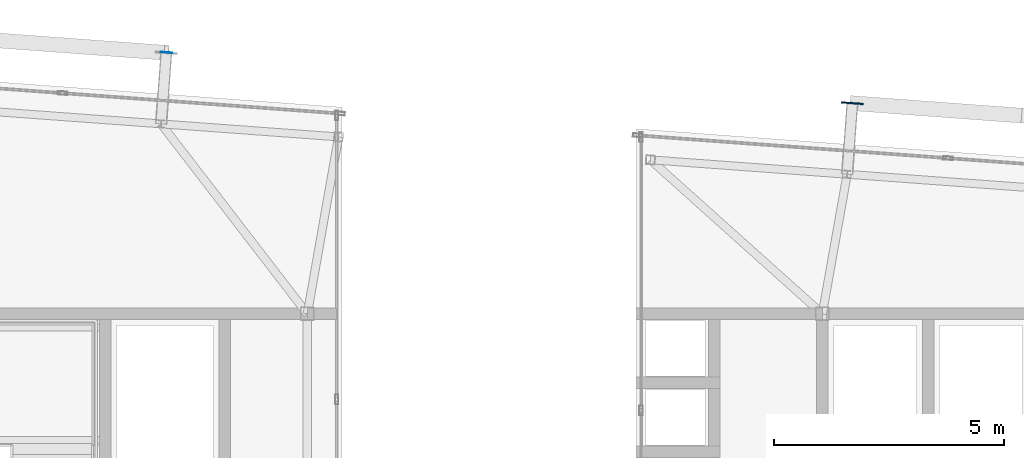
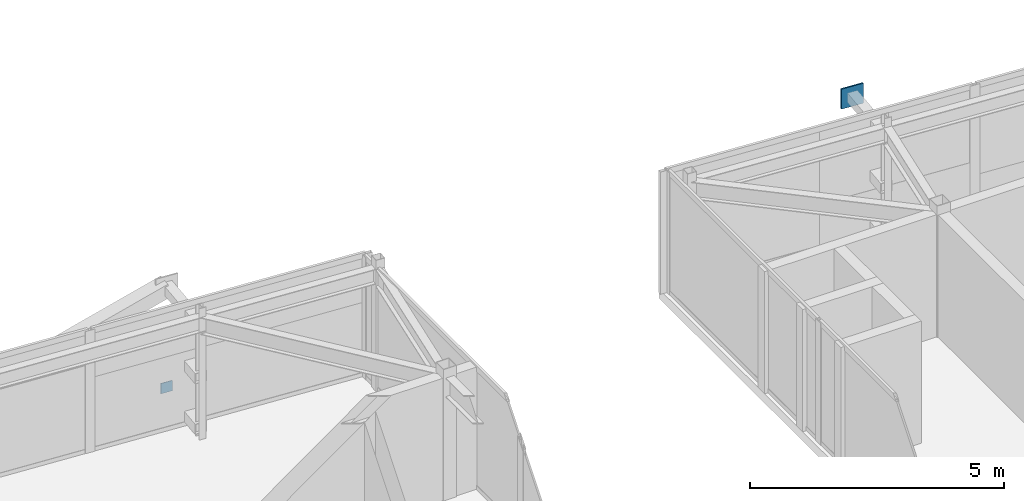
# One storey, part 34 of 39: 2 plates.
"""IFC4 building model written with IfcOpenShell, lengths in metres."""

from ifc_helpers import new_model, si_unit, direction, frame, origin, origin_2d, place, context, subcontext, project, spatial, rectangle, extrude, source, transform, mapped, material, layer, layer_set, type_object, element, save


model = new_model("IFC4")

# Units and contexts
model_context = context("Model", 3, precision=1e-05, world=origin(), true_north=direction((0.0, 1.0)))
body_context = subcontext(model_context, "Body", "Model", "MODEL_VIEW")
ifc_project = project(units=[si_unit("LENGTHUNIT", "METRE"), si_unit("AREAUNIT", "SQUARE_METRE"), si_unit("VOLUMEUNIT", "CUBIC_METRE"), si_unit("PLANEANGLEUNIT", "RADIAN"), si_unit("MASSUNIT", "GRAM", prefix="KILO")], contexts=[model_context])

# Site, building, storey
site_placement = place(None, origin())
site = spatial("IfcSite", under=ifc_project, at=site_placement, CompositionType="ELEMENT")
building_placement = place(site_placement, origin())
building = spatial("IfcBuilding", under=site, at=building_placement, Name="Taldren Reach Tower", CompositionType="ELEMENT")
storey_placement = place(building_placement, frame((0.0, 0.0, 230.300048828125)))
storey = spatial("IfcBuildingStorey", under=building, at=storey_placement, Name="L70", CompositionType="ELEMENT", Elevation=230.300048828125)

# Plates
ifc_material_1 = material(Name="Steel Gr 350 (C350L0)", Category="steel")
ifc_layer_1 = layer(ifc_material_1, 0.011962890625)
ifc_layer_set_1 = layer_set([ifc_layer_1], Name="Steel Gr 350 (C350L0)")
plate_type_1 = type_object("IfcPlateType", Name="PL-CAP-250", PredefinedType="SHEET", material=ifc_layer_set_1)
shared_shape_1 = source(origin(), body_context, "Body", "SweptSolid", [
    extrude(rectangle(XDim=0.25, YDim=0.011962890625, at=origin_2d()), origin(), (0.0, 0.0, 1.0), 0.25),
])
plate_1_placement = place(storey_placement, frame((24.93359375, 37.682861328125, 0.094970703125), z_axis=(0.0, 0.0, 1.0), x_axis=(0.997314477224, -0.073238197128, 0.0)))
element("IfcPlate", 1, at=plate_1_placement, inside=storey, type_object=plate_type_1, Name="Tie strut end cap plate B5-N2 L70", PredefinedType="SHEET", context=body_context, shape_type="MappedRepresentation", body=[
    mapped(shared_shape_1, transform((0.0, 0.0, 0.0), scale=1.0)),
])
ifc_material_2 = material(Name="Steel Gr 450 (C450L0)", Category="steel")
ifc_layer_2 = layer(ifc_material_2, 0.031982421875)
ifc_layer_set_2 = layer_set([ifc_layer_2], Name="Steel Gr 450 (C450L0)")
plate_type_2 = type_object("IfcPlateType", Name="PL-GUSSET-32", PredefinedType="SHEET", material=ifc_layer_set_2)
shared_shape_2 = source(origin(), body_context, "Body", "SweptSolid", [
    extrude(rectangle(XDim=0.47998046875, YDim=0.031982421875, at=origin_2d()), origin(), (0.0, 0.0, 1.0), 0.47998046875),
])
plate_2_placement = place(storey_placement, frame((39.85302734375, 36.581298828125, 2.409912109375), z_axis=(0.0, 0.0, 1.0), x_axis=(0.997314477224, -0.073238197128, 0.0)))
element("IfcPlate", 2, at=plate_2_placement, inside=storey, type_object=plate_type_2, Name="Exoskeleton star-node gusset plate B5-N4 L70", PredefinedType="SHEET", context=body_context, shape_type="MappedRepresentation", body=[
    mapped(shared_shape_2, transform((0.0, 0.0, 0.0), scale=1.0)),
])

save(model, "model.ifc")
